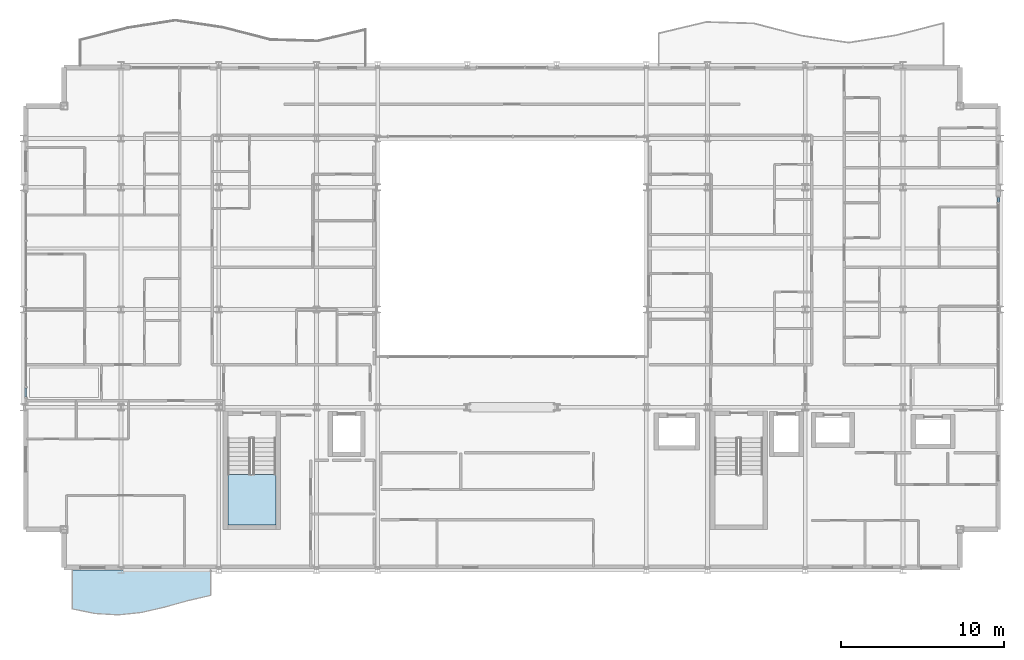
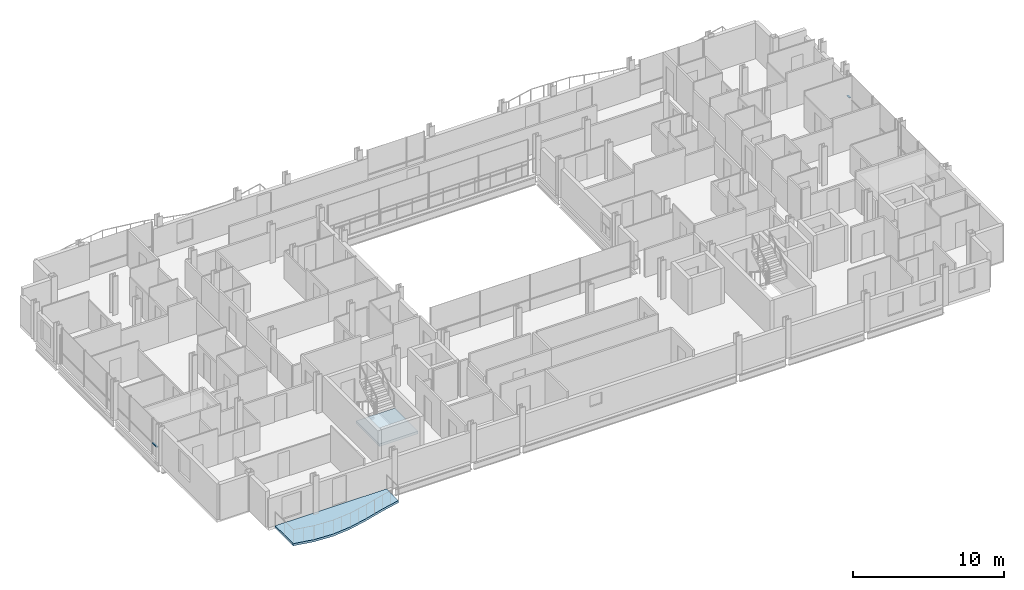
# One storey, part 25 of 40: 2 members, 2 slabs, 3 elements without a shape of their own.
"""IFC4 building model written with IfcOpenShell, lengths in metres."""

from ifc_helpers import new_model, si_unit, direction, frame, origin, origin_2d, place, context, subcontext, project, spatial, polyline, hollow_rectangle, outline, extrude, material, layer, layer_set, material_profile, profile_set, type_object, element, aggregate, save


model = new_model("IFC4")

# Units and contexts
model_context = context("Model", 3, precision=1e-05, world=origin(), true_north=direction((0.0, 1.0)))
body_context = subcontext(model_context, "Body", "Model", "MODEL_VIEW")
ifc_project = project(units=[si_unit("LENGTHUNIT", "METRE"), si_unit("AREAUNIT", "SQUARE_METRE"), si_unit("VOLUMEUNIT", "CUBIC_METRE"), si_unit("PLANEANGLEUNIT", "RADIAN"), si_unit("MASSUNIT", "GRAM", prefix="KILO")], contexts=[model_context])

# Site, building, storey
site_placement = place(None, origin())
site = spatial("IfcSite", under=ifc_project, at=site_placement, CompositionType="ELEMENT")
building_placement = place(site_placement, origin())
building = spatial("IfcBuilding", under=site, at=building_placement, Name="Brevholm Reach", CompositionType="ELEMENT")
storey_placement = place(building_placement, frame((0.0, 0.0, 119.0)))
storey = spatial("IfcBuildingStorey", under=building, at=storey_placement, Name="L35", CompositionType="ELEMENT", Elevation=119.0)

# Curtain wall, member
ifc_material_1 = material(Name="Dark Anodised Aluminium 6063-T6 and Solar-Control Glass", Category="aluminium")
ifc_layer_1 = layer(ifc_material_1, 0.14990234375)
ifc_layer_set_1 = layer_set([ifc_layer_1], Name="Dark Anodised Aluminium 6063-T6 and Solar-Control Glass")
curtain_wall_type = type_object("IfcCurtainWallType", Name="CW-01", PredefinedType="NOTDEFINED", material=ifc_layer_set_1)
curtain_wall_1_placement = place(storey_placement, origin())
curtain_wall_1 = element("IfcCurtainWall", 1, at=curtain_wall_1_placement, inside=storey, type_object=curtain_wall_type, Name="L35 Curtain Wall CW-01", PredefinedType="NOTDEFINED")
ifc_material_2 = material(Name="Dark Anodised Aluminium 6063-T6", Category="aluminium")
ifc_material_profile = material_profile(ifc_material_2, hollow_rectangle(XDim=0.06494140625, YDim=0.14990234375, WallThickness=0.0048828125, InnerFilletRadius=0.0048828125, OuterFilletRadius=0.010009765625, at=origin_2d()), Name="RHS 150x65x5")
ifc_profile_set = profile_set([ifc_material_profile], Name="Dark Anodised Aluminium 6063-T6")
member_type = type_object("IfcMemberType", Name="CWT-150", PredefinedType="NOTDEFINED", material=ifc_profile_set)
member_1_placement = place(storey_placement, frame((0.14990234375, 11.1875, 0.89990234375), z_axis=(0.0, -1.0, 0.0), x_axis=(0.0, 0.0, 1.0)))
member_1 = element("IfcMember", 2, at=member_1_placement, type_object=member_type, Name="CT-150 Transom 5.1", ObjectType="TRANSOM", PredefinedType="USERDEFINED", context=body_context, shape_type="SweptSolid", body=[
    extrude(hollow_rectangle(XDim=0.06494140625, YDim=0.14990234375, WallThickness=0.0048828125, InnerFilletRadius=0.0048828125, OuterFilletRadius=0.010009765625, at=origin_2d()), origin(), (0.0, 0.0, 1.0), 0.572509765625),
])
aggregate(curtain_wall_1, [member_1])

curtain_wall_2_placement = place(storey_placement, origin())
curtain_wall_2 = element("IfcCurtainWall", 3, at=curtain_wall_2_placement, inside=storey, type_object=curtain_wall_type, Name="L35 Curtain Wall CW-01", PredefinedType="NOTDEFINED")
member_2_placement = place(storey_placement, frame((59.85009765625, 22.58251953125, 0.89990234375), z_axis=(0.0, 1.0, 0.0), x_axis=(0.0, 0.0, 1.0)))
member_2 = element("IfcMember", 4, at=member_2_placement, type_object=member_type, Name="CT-150 Transom 5.1", ObjectType="TRANSOM", PredefinedType="USERDEFINED", context=body_context, shape_type="SweptSolid", body=[
    extrude(hollow_rectangle(XDim=0.06494140625, YDim=0.14990234375, WallThickness=0.0048828125, InnerFilletRadius=0.0048828125, OuterFilletRadius=0.010009765625, at=origin_2d()), origin(), (0.0, 0.0, 1.0), 0.302490234375),
])
aggregate(curtain_wall_2, [member_2])

# Slab
ifc_material_3 = material(Name="Precast Concrete C40/50", Category="concrete")
ifc_layer_2 = layer(ifc_material_3, 0.179931640625)
ifc_layer_set_2 = layer_set([ifc_layer_2], Name="Precast Concrete C40/50")
slab_type_1 = type_object("IfcSlabType", Name="SLB-BAL-180", PredefinedType="FLOOR", material=ifc_layer_set_2)
slab_1_placement = place(storey_placement, frame((0.0, 0.0, -0.179931640625)))
element("IfcSlab", 5, at=slab_1_placement, inside=storey, type_object=slab_type_1, Name="L35 Rippling External Balcony SW", PredefinedType="FLOOR", context=body_context, shape_type="SweptSolid", body=[
    extrude(outline(polyline([(3.0, -2.38134765625), (4.416748046875, -2.665283203125), (5.833251953125, -2.747314453125), (7.25, -2.599609375), (8.666748046875, -2.2724609375), (10.083251953125, -1.877685546875), (11.5, -1.55029296875), (11.5, 0.0), (3.0, 0.0), (3.0, -2.38134765625)])), origin(), (0.0, 0.0, 1.0), 0.179931640625),
])

# Stair, slab
ifc_material_4 = material(Name="Precast Concrete C40/50", Category="concrete")
stair_type = type_object("IfcStairType", Name="STR-ESC-1400", PredefinedType="DOUBLE_RETURN_STAIR", material=ifc_material_4)
stair_placement = place(storey_placement, origin())
stair = element("IfcStair", 6, at=stair_placement, inside=storey, type_object=stair_type, Name="L35 ST-1", PredefinedType="DOUBLE_RETURN_STAIR")
ifc_material_5 = material(Name="Concrete C40/50", Category="concrete")
ifc_layer_3 = layer(ifc_material_5, 0.199951171875)
ifc_layer_set_3 = layer_set([ifc_layer_3], Name="Concrete C40/50")
slab_type_2 = type_object("IfcSlabType", Name="SLB-LND-200", PredefinedType="LANDING", material=ifc_layer_set_3)
slab_2_placement = place(storey_placement, frame((0.0, 0.0, 1.35009765625)))
slab_2 = element("IfcSlab", 7, at=slab_2_placement, type_object=slab_type_2, Name="ST-1 landing 1", PredefinedType="LANDING", context=body_context, shape_type="SweptSolid", body=[
    extrude(outline(polyline([(12.550048828125, 5.860107421875), (12.550048828125, 2.780029296875), (15.5, 2.780029296875), (15.5, 5.860107421875), (12.550048828125, 5.860107421875)])), origin(), (0.0, 0.0, 1.0), 0.199951171875),
])
aggregate(stair, [slab_2])

save(model, "model.ifc")
